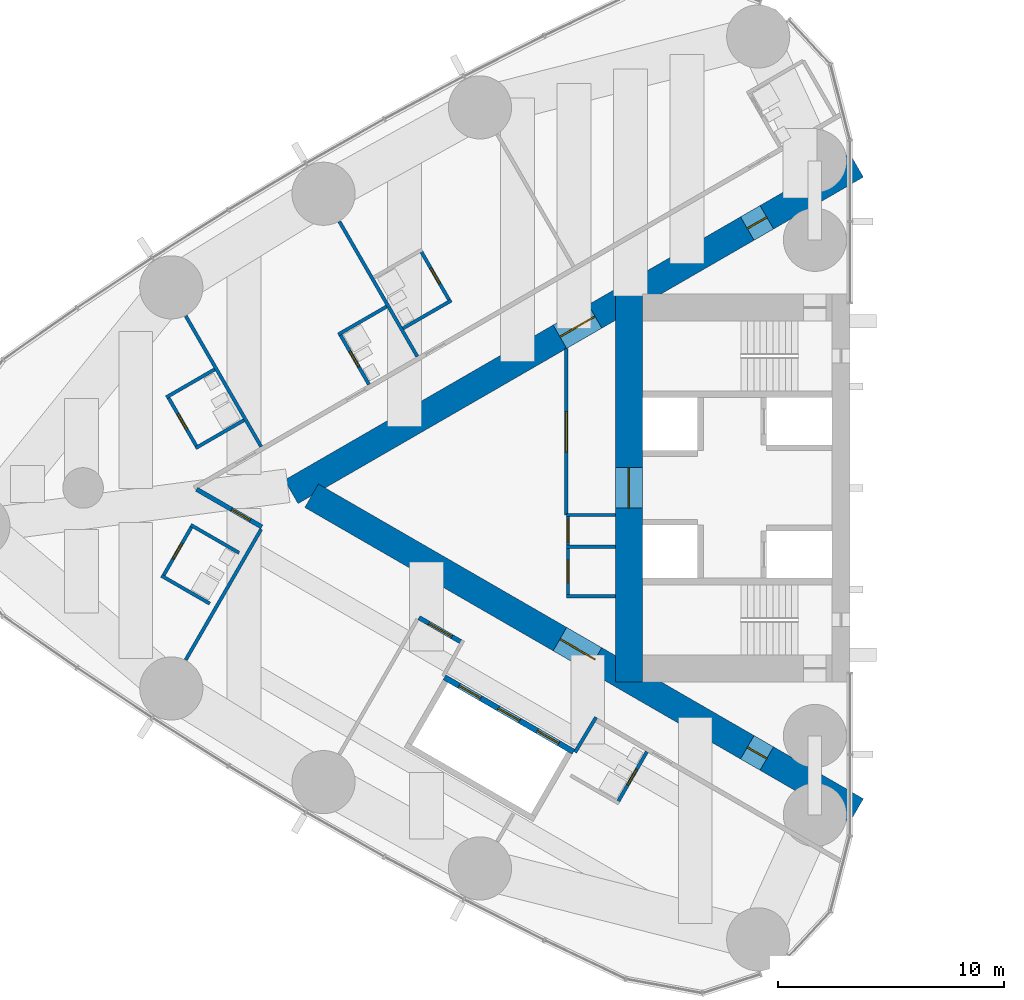
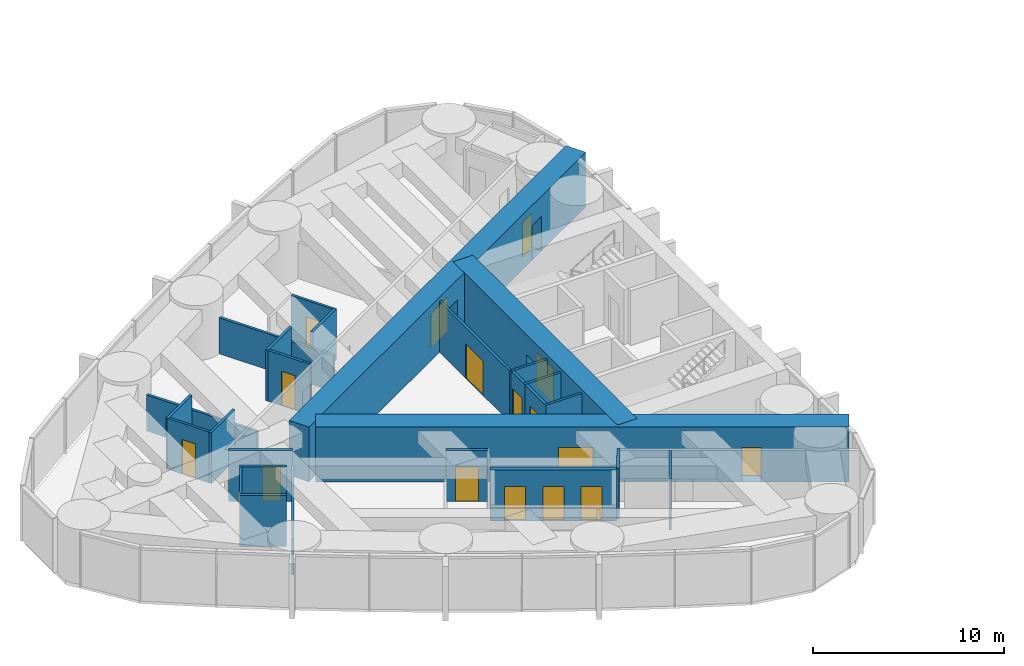
# One storey, part 12 of 19: 27 walls, 18 doors, 18 openings.
"""IFC4 building model written with IfcOpenShell, lengths in metres."""

from ifc_helpers import new_model, si_unit, direction, frame, frame_2d, origin, place, context, subcontext, project, spatial, rectangle, extrude, material, layer, layer_set, type_object, element, fill, save


model = new_model("IFC4")

# Units and contexts
model_context = context("Model", 3, precision=1e-05, world=origin(), true_north=direction((0.0, 1.0)))
body_context = subcontext(model_context, "Body", "Model", "MODEL_VIEW")
ifc_project = project(units=[si_unit("LENGTHUNIT", "METRE"), si_unit("AREAUNIT", "SQUARE_METRE"), si_unit("VOLUMEUNIT", "CUBIC_METRE"), si_unit("PLANEANGLEUNIT", "RADIAN"), si_unit("MASSUNIT", "GRAM", prefix="KILO")], contexts=[model_context])

# Site, building, storey
site_placement = place(None, origin())
site = spatial("IfcSite", under=ifc_project, at=site_placement, CompositionType="ELEMENT")
building_placement = place(site_placement, origin())
building = spatial("IfcBuilding", under=site, at=building_placement, Name="Lancet Gate Hotel", CompositionType="ELEMENT")
storey_placement = place(building_placement, frame((0.0, 0.0, 177.300048828125)))
storey = spatial("IfcBuildingStorey", under=building, at=storey_placement, Name="L47", CompositionType="ELEMENT", Elevation=177.300048828125)

# Wall, opening, door
ifc_material_1 = material(Name="Moisture resistant board partition")
ifc_layer_1 = layer(ifc_material_1, 0.14990234375)
ifc_layer_set_1 = layer_set([ifc_layer_1], Name="Bathroom wall 150")
wall_type_1 = type_object("IfcWallType", Name="Bathroom wall 150", PredefinedType="PARTITIONING", material=ifc_layer_set_1)
wall_1_placement = place(storey_placement, frame((-45.2353515625, 8.275146484375, 0.0), z_axis=(0.0, 0.0, 1.0), x_axis=(-0.500006934395, 0.866021400173, 0.0)))
wall_1 = element("IfcWall", 1, at=wall_1_placement, inside=storey, type_object=wall_type_1, Name="T1 bathroom wall 150 L47", PredefinedType="PARTITIONING", context=body_context, shape_type="SweptSolid", body=[
    extrude(rectangle(XDim=2.60009765625, YDim=0.14990234375, at=frame_2d((1.300048828125, 0.0))), origin(), (0.0, 0.0, 1.0), 3.25),
])
opening_1_placement = place(wall_1_placement, frame((0.89990234375, 0.0, 0.0)))
opening_1 = element("IfcOpeningElement", 2, at=opening_1_placement, cuts=wall_1, Name="Opening 4702-B", PredefinedType="OPENING", context=body_context, shape_type="SweptSolid", body=[
    extrude(rectangle(XDim=0.800048828125, YDim=2.199951171875, at=frame_2d((0.39990234375, 1.10009765625))), frame((0.0, 0.0849609375, 0.0), z_axis=(0.0, -1.0, 0.0), x_axis=(1.0, 0.0, 0.0)), (0.0, 0.0, 1.0), 0.169921875),
])
ifc_material_2 = material(Name="Timber door set", Category="wood")
door_type_1 = type_object("IfcDoorType", Name="Bathroom door 800", OperationType="SINGLE_SWING_RIGHT", PredefinedType="DOOR", material=ifc_material_2)
door_1_placement = place(opening_1_placement, origin())
door_1 = element("IfcDoor", 3, at=door_1_placement, inside=storey, type_object=door_type_1, Name="4702-B", OperationType="SINGLE_SWING_RIGHT", OverallHeight=2.199951171875, OverallWidth=0.800048828125, PredefinedType="DOOR", context=body_context, shape_type="SweptSolid", body=[
    extrude(rectangle(XDim=0.800048828125, YDim=2.199951171875, at=frame_2d((0.39990234375, 1.10009765625))), frame((0.0, 0.02490234375, 0.0), z_axis=(0.0, -1.0, 0.0), x_axis=(1.0, 0.0, 0.0)), (0.0, 0.0, 1.0), 0.050048828125),
])
fill(opening_1, door_1)

# Walls
for number, where, z_axis, x_axis, name in (
    (4, (-45.17041015625, 8.3125, 0.0), (0.0, 0.0, 1.0), (-0.866031185235, -0.4999899861, 0.0), "T1 bathroom wall 150 L47"),
    (5, (-48.043701171875, 8.039306640625, 0.0), (0.0, 0.0, 1.0), (-0.866031185235, -0.4999899861, 0.0), "T1 bathroom wall 150 L47"),
):
    element("IfcWall", number, at=place(storey_placement, frame(where, z_axis=z_axis, x_axis=x_axis)), inside=storey, type_object=wall_type_1, Name=name, PredefinedType="PARTITIONING", context=body_context, shape_type="SweptSolid", body=[
        extrude(rectangle(XDim=2.47509765625, YDim=0.14990234375, at=frame_2d((1.237548828125, 0.0))), origin(), (0.0, 0.0, 1.0), 3.25),
    ])

# Wall, opening, door
wall_2_placement = place(storey_placement, frame((-48.822265625, 4.587646484375, 0.0), z_axis=(0.0, 0.0, 1.0), x_axis=(-0.500006934395, 0.866021400173, 0.0)))
wall_2 = element("IfcWall", 6, at=wall_2_placement, inside=storey, type_object=wall_type_1, Name="T1 bathroom wall 150 L47", PredefinedType="PARTITIONING", context=body_context, shape_type="SweptSolid", body=[
    extrude(rectangle(XDim=2.60009765625, YDim=0.14990234375, at=frame_2d((1.300048828125, 0.0))), origin(), (0.0, 0.0, 1.0), 3.25),
])
opening_2_placement = place(wall_2_placement, frame((0.89990234375, 0.0, 0.0)))
opening_2 = element("IfcOpeningElement", 7, at=opening_2_placement, cuts=wall_2, Name="Opening 4703-B", PredefinedType="OPENING", context=body_context, shape_type="SweptSolid", body=[
    extrude(rectangle(XDim=0.800048828125, YDim=2.199951171875, at=frame_2d((0.39990234375, 1.10009765625))), frame((0.0, 0.0849609375, 0.0), z_axis=(0.0, -1.0, 0.0), x_axis=(1.0, 0.0, 0.0)), (0.0, 0.0, 1.0), 0.169921875),
])
door_2_placement = place(opening_2_placement, origin())
door_2 = element("IfcDoor", 8, at=door_2_placement, inside=storey, type_object=door_type_1, Name="4703-B", OperationType="SINGLE_SWING_RIGHT", OverallHeight=2.199951171875, OverallWidth=0.800048828125, PredefinedType="DOOR", context=body_context, shape_type="SweptSolid", body=[
    extrude(rectangle(XDim=0.800048828125, YDim=2.199951171875, at=frame_2d((0.39990234375, 1.10009765625))), frame((0.0, 0.02490234375, 0.0), z_axis=(0.0, -1.0, 0.0), x_axis=(1.0, 0.0, 0.0)), (0.0, 0.0, 1.0), 0.050048828125),
])
fill(opening_2, door_2)

# Wall
wall_3_placement = place(storey_placement, frame((-55.6669921875, 5.254638671875, 0.0), z_axis=(0.0, 0.0, 1.0), x_axis=(-0.866006523861, -0.500032699561, 0.0)))
element("IfcWall", 9, at=wall_3_placement, inside=storey, type_object=wall_type_1, Name="T1 bathroom wall 150 L47", PredefinedType="PARTITIONING", context=body_context, shape_type="SweptSolid", body=[
    extrude(rectangle(XDim=2.474853515625, YDim=0.14990234375, at=frame_2d((1.2373046875, 0.0))), origin(), (0.0, 0.0, 1.0), 3.25),
])

# Wall, opening, door
wall_4_placement = place(storey_placement, frame((-56.445556640625, 1.802978515625, 0.0), z_axis=(0.0, 0.0, 1.0), x_axis=(-0.499936506574, 0.866062058628, 0.0)))
wall_4 = element("IfcWall", 10, at=wall_4_placement, inside=storey, type_object=wall_type_1, Name="T1 bathroom wall 150 L47", PredefinedType="PARTITIONING", context=body_context, shape_type="SweptSolid", body=[
    extrude(rectangle(XDim=2.599853515625, YDim=0.14990234375, at=frame_2d((1.2998046875, 0.0))), origin(), (0.0, 0.0, 1.0), 3.25),
])
opening_3_placement = place(wall_4_placement, frame((0.89990234375, 0.0, 0.0)))
opening_3 = element("IfcOpeningElement", 11, at=opening_3_placement, cuts=wall_4, Name="Opening 4704-B", PredefinedType="OPENING", context=body_context, shape_type="SweptSolid", body=[
    extrude(rectangle(XDim=0.800048828125, YDim=2.199951171875, at=frame_2d((0.39990234375, 1.10009765625))), frame((0.0, 0.0849609375, 0.0), z_axis=(0.0, -1.0, 0.0), x_axis=(1.0, 0.0, 0.0)), (0.0, 0.0, 1.0), 0.169921875),
])
door_3_placement = place(opening_3_placement, origin())
door_3 = element("IfcDoor", 12, at=door_3_placement, inside=storey, type_object=door_type_1, Name="4704-B", OperationType="SINGLE_SWING_RIGHT", OverallHeight=2.199951171875, OverallWidth=0.800048828125, PredefinedType="DOOR", context=body_context, shape_type="SweptSolid", body=[
    extrude(rectangle(XDim=0.800048828125, YDim=2.199951171875, at=frame_2d((0.39990234375, 1.10009765625))), frame((0.0, 0.02490234375, 0.0), z_axis=(0.0, -1.0, 0.0), x_axis=(1.0, 0.0, 0.0)), (0.0, 0.0, 1.0), 0.050048828125),
])
fill(opening_3, door_3)

# Walls
wall_5_placement = place(storey_placement, frame((-54.366943359375, 3.0029296875, 0.0), z_axis=(0.0, 0.0, 1.0), x_axis=(-0.866031185235, -0.4999899861, 0.0)))
element("IfcWall", 13, at=wall_5_placement, inside=storey, type_object=wall_type_1, Name="T1 bathroom wall 150 L47", PredefinedType="PARTITIONING", context=body_context, shape_type="SweptSolid", body=[
    extrude(rectangle(XDim=2.47509765625, YDim=0.14990234375, at=frame_2d((1.237548828125, 0.0))), origin(), (0.0, 0.0, 1.0), 3.25),
])
wall_6_placement = place(storey_placement, frame((-55.883544921875, -5.129638671875, 0.0), z_axis=(0.0, 0.0, 1.0), x_axis=(-0.866006523861, 0.500032699561, 0.0)))
element("IfcWall", 14, at=wall_6_placement, inside=storey, type_object=wall_type_1, Name="T1 bathroom wall 150 L47", PredefinedType="PARTITIONING", context=body_context, shape_type="SweptSolid", body=[
    extrude(rectangle(XDim=2.474853515625, YDim=0.14990234375, at=frame_2d((1.2373046875, 0.0))), origin(), (0.0, 0.0, 1.0), 3.25),
])

# Wall, opening, door
wall_7_placement = place(storey_placement, frame((-56.661865234375, -1.677978515625, 0.0), z_axis=(0.0, 0.0, 1.0), x_axis=(-0.500006934395, -0.866021400173, 0.0)))
wall_7 = element("IfcWall", 15, at=wall_7_placement, inside=storey, type_object=wall_type_1, Name="T1 bathroom wall 150 L47", PredefinedType="PARTITIONING", context=body_context, shape_type="SweptSolid", body=[
    extrude(rectangle(XDim=2.60009765625, YDim=0.14990234375, at=frame_2d((1.300048828125, 0.0))), origin(), (0.0, 0.0, 1.0), 3.25),
])
opening_4_placement = place(wall_7_placement, frame((0.89990234375, 0.0, 0.0)))
opening_4 = element("IfcOpeningElement", 16, at=opening_4_placement, cuts=wall_7, Name="Opening 4705-B", PredefinedType="OPENING", context=body_context, shape_type="SweptSolid", body=[
    extrude(rectangle(XDim=0.800048828125, YDim=2.199951171875, at=frame_2d((0.39990234375, 1.10009765625))), frame((0.0, 0.0849609375, 0.0), z_axis=(0.0, -1.0, 0.0), x_axis=(1.0, 0.0, 0.0)), (0.0, 0.0, 1.0), 0.169921875),
])
door_4_placement = place(opening_4_placement, origin())
door_4 = element("IfcDoor", 17, at=door_4_placement, inside=storey, type_object=door_type_1, Name="4705-B", OperationType="SINGLE_SWING_RIGHT", OverallHeight=2.199951171875, OverallWidth=0.800048828125, PredefinedType="DOOR", context=body_context, shape_type="SweptSolid", body=[
    extrude(rectangle(XDim=0.800048828125, YDim=2.199951171875, at=frame_2d((0.39990234375, 1.10009765625))), frame((0.0, 0.02490234375, 0.0), z_axis=(0.0, -1.0, 0.0), x_axis=(1.0, 0.0, 0.0)), (0.0, 0.0, 1.0), 0.050048828125),
])
fill(opening_4, door_4)

# Wall
wall_8_placement = place(storey_placement, frame((-54.58349609375, -2.8779296875, 0.0), z_axis=(0.0, 0.0, 1.0), x_axis=(-0.866006523861, 0.500032699561, 0.0)))
element("IfcWall", 18, at=wall_8_placement, inside=storey, type_object=wall_type_1, Name="T1 bathroom wall 150 L47", PredefinedType="PARTITIONING", context=body_context, shape_type="SweptSolid", body=[
    extrude(rectangle(XDim=2.474853515625, YDim=0.14990234375, at=frame_2d((1.2373046875, 0.0))), origin(), (0.0, 0.0, 1.0), 3.25),
])

# Wall, opening, door
wall_9_placement = place(storey_placement, frame((-36.5029296875, -11.7001953125, 0.0), z_axis=(0.0, 0.0, 1.0), x_axis=(-0.500006934395, -0.866021400173, 0.0)))
wall_9 = element("IfcWall", 19, at=wall_9_placement, inside=storey, type_object=wall_type_1, Name="T1 bathroom wall 150 L47", PredefinedType="PARTITIONING", context=body_context, shape_type="SweptSolid", body=[
    extrude(rectangle(XDim=2.60009765625, YDim=0.14990234375, at=frame_2d((1.300048828125, 0.0))), origin(), (0.0, 0.0, 1.0), 3.25),
])
opening_5_placement = place(wall_9_placement, frame((0.89990234375, 0.0, 0.0)))
opening_5 = element("IfcOpeningElement", 20, at=opening_5_placement, cuts=wall_9, Name="Opening 4708-B", PredefinedType="OPENING", context=body_context, shape_type="SweptSolid", body=[
    extrude(rectangle(XDim=0.800048828125, YDim=2.199951171875, at=frame_2d((0.39990234375, 1.10009765625))), frame((0.0, 0.0849609375, 0.0), z_axis=(0.0, -1.0, 0.0), x_axis=(1.0, 0.0, 0.0)), (0.0, 0.0, 1.0), 0.169921875),
])
door_5_placement = place(opening_5_placement, origin())
door_5 = element("IfcDoor", 21, at=door_5_placement, inside=storey, type_object=door_type_1, Name="4708-B", OperationType="SINGLE_SWING_RIGHT", OverallHeight=2.199951171875, OverallWidth=0.800048828125, PredefinedType="DOOR", context=body_context, shape_type="SweptSolid", body=[
    extrude(rectangle(XDim=0.800048828125, YDim=2.199951171875, at=frame_2d((0.39990234375, 1.10009765625))), frame((0.0, 0.02490234375, 0.0), z_axis=(0.0, -1.0, 0.0), x_axis=(1.0, 0.0, 0.0)), (0.0, 0.0, 1.0), 0.050048828125),
])
fill(opening_5, door_5)

# Wall, openings, doors
ifc_material_3 = material(Name="Concrete C70/85", Category="concrete")
ifc_layer_2 = layer(ifc_material_3, 1.199951171875)
ifc_layer_set_2 = layer_set([ifc_layer_2], Name="Buttress wall 1200")
wall_type_2 = type_object("IfcWallType", Name="Buttress wall 1200", PredefinedType="SHEAR", material=ifc_layer_set_2)
wall_10_placement = place(storey_placement, frame((-27.199951171875, 14.300048828125, 0.0), z_axis=(0.0, 0.0, 1.0), x_axis=(-0.866026593062, -0.499997940104, 0.0)))
wall_10 = element("IfcWall", 22, at=wall_10_placement, inside=storey, type_object=wall_type_2, Name="T1 buttress wall S L47", PredefinedType="SHEAR", context=body_context, shape_type="SweptSolid", body=[
    extrude(rectangle(XDim=28.9462890625, YDim=1.199951171875, at=frame_2d((14.47314453125, 0.0))), origin(), (0.0, 0.0, 1.0), 3.5),
])
opening_6_placement = place(wall_10_placement, frame((4.60009765625, 0.0, 0.0)))
opening_6 = element("IfcOpeningElement", 23, at=opening_6_placement, cuts=wall_10, Name="Opening T1-L47-LS", PredefinedType="OPENING", context=body_context, shape_type="SweptSolid", body=[
    extrude(rectangle(XDim=1.0, YDim=2.199951171875, at=frame_2d((0.5, 1.10009765625))), frame((0.0, 0.60986328125, 0.0), z_axis=(0.0, -1.0, 0.0), x_axis=(1.0, 0.0, 0.0)), (0.0, 0.0, 1.0), 1.219970703125),
])
opening_7_placement = place(wall_10_placement, frame((13.39453125, 0.0, 0.0)))
opening_7 = element("IfcOpeningElement", 24, at=opening_7_placement, cuts=wall_10, Name="Opening T1-L47-LHS", PredefinedType="OPENING", context=body_context, shape_type="SweptSolid", body=[
    extrude(rectangle(XDim=1.800048828125, YDim=2.199951171875, at=frame_2d((0.89990234375, 1.10009765625))), frame((0.0, 0.60986328125, 0.0), z_axis=(0.0, -1.0, 0.0), x_axis=(1.0, 0.0, 0.0)), (0.0, 0.0, 1.0), 1.219970703125),
])
ifc_material_4 = material(Name="Timber door set", Category="wood")
door_type_2 = type_object("IfcDoorType", Name="Lobby double door 1800", OperationType="DOUBLE_DOOR_SINGLE_SWING", PredefinedType="DOOR", material=ifc_material_4)
door_6_placement = place(opening_7_placement, origin())
door_6 = element("IfcDoor", 25, at=door_6_placement, inside=storey, type_object=door_type_2, Name="T1-L47-LHS", OperationType="DOUBLE_DOOR_SINGLE_SWING", OverallHeight=2.199951171875, OverallWidth=1.800048828125, PredefinedType="DOOR", context=body_context, shape_type="SweptSolid", body=[
    extrude(rectangle(XDim=1.800048828125, YDim=2.199951171875, at=frame_2d((0.89990234375, 1.10009765625))), frame((0.0, 0.02490234375, 0.0), z_axis=(0.0, -1.0, 0.0), x_axis=(1.0, 0.0, 0.0)), (0.0, 0.0, 1.0), 0.050048828125),
])
fill(opening_7, door_6)
ifc_material_5 = material(Name="Timber door set", Category="wood")
door_type_3 = type_object("IfcDoorType", Name="Stair lobby door 1000", OperationType="SINGLE_SWING_LEFT", PredefinedType="DOOR", material=ifc_material_5)
door_7_placement = place(opening_6_placement, origin())
door_7 = element("IfcDoor", 26, at=door_7_placement, inside=storey, type_object=door_type_3, Name="T1-L47-LS", OperationType="SINGLE_SWING_LEFT", OverallHeight=2.199951171875, OverallWidth=1.0, PredefinedType="DOOR", context=body_context, shape_type="SweptSolid", body=[
    extrude(rectangle(XDim=1.0, YDim=2.199951171875, at=frame_2d((0.5, 1.10009765625))), frame((0.0, 0.02490234375, 0.0), z_axis=(0.0, -1.0, 0.0), x_axis=(1.0, 0.0, 0.0)), (0.0, 0.0, 1.0), 0.050048828125),
])
fill(opening_6, door_7)

wall_11_placement = place(storey_placement, frame((-27.199951171875, -14.300048828125, 0.0), z_axis=(0.0, 0.0, 1.0), x_axis=(-0.866024021859, 0.500002393557, 0.0)))
wall_11 = element("IfcWall", 27, at=wall_11_placement, inside=storey, type_object=wall_type_2, Name="T1 buttress wall N L47", PredefinedType="SHEAR", context=body_context, shape_type="SweptSolid", body=[
    extrude(rectangle(XDim=27.906982421875, YDim=1.199951171875, at=frame_2d((13.95361328125, 0.0))), origin(), (0.0, 0.0, 1.0), 3.5),
])
opening_8_placement = place(wall_11_placement, frame((4.60009765625, 0.0, 0.0)))
opening_8 = element("IfcOpeningElement", 28, at=opening_8_placement, cuts=wall_11, Name="Opening T1-L47-LN", PredefinedType="OPENING", context=body_context, shape_type="SweptSolid", body=[
    extrude(rectangle(XDim=1.0, YDim=2.199951171875, at=frame_2d((0.5, 1.10009765625))), frame((0.0, 0.60986328125, 0.0), z_axis=(0.0, -1.0, 0.0), x_axis=(1.0, 0.0, 0.0)), (0.0, 0.0, 1.0), 1.219970703125),
])
opening_9_placement = place(wall_11_placement, frame((13.39453125, 0.0, 0.0)))
opening_9 = element("IfcOpeningElement", 29, at=opening_9_placement, cuts=wall_11, Name="Opening T1-L47-LHN", PredefinedType="OPENING", context=body_context, shape_type="SweptSolid", body=[
    extrude(rectangle(XDim=1.800048828125, YDim=2.199951171875, at=frame_2d((0.89990234375, 1.10009765625))), frame((0.0, 0.60986328125, 0.0), z_axis=(0.0, -1.0, 0.0), x_axis=(1.0, 0.0, 0.0)), (0.0, 0.0, 1.0), 1.219970703125),
])
door_8_placement = place(opening_9_placement, origin())
door_8 = element("IfcDoor", 30, at=door_8_placement, inside=storey, type_object=door_type_2, Name="T1-L47-LHN", OperationType="DOUBLE_DOOR_SINGLE_SWING", OverallHeight=2.199951171875, OverallWidth=1.800048828125, PredefinedType="DOOR", context=body_context, shape_type="SweptSolid", body=[
    extrude(rectangle(XDim=1.800048828125, YDim=2.199951171875, at=frame_2d((0.89990234375, 1.10009765625))), frame((0.0, 0.02490234375, 0.0), z_axis=(0.0, -1.0, 0.0), x_axis=(1.0, 0.0, 0.0)), (0.0, 0.0, 1.0), 0.050048828125),
])
fill(opening_9, door_8)
door_9_placement = place(opening_8_placement, origin())
door_9 = element("IfcDoor", 31, at=door_9_placement, inside=storey, type_object=door_type_3, Name="T1-L47-LN", OperationType="SINGLE_SWING_LEFT", OverallHeight=2.199951171875, OverallWidth=1.0, PredefinedType="DOOR", context=body_context, shape_type="SweptSolid", body=[
    extrude(rectangle(XDim=1.0, YDim=2.199951171875, at=frame_2d((0.5, 1.10009765625))), frame((0.0, 0.02490234375, 0.0), z_axis=(0.0, -1.0, 0.0), x_axis=(1.0, 0.0, 0.0)), (0.0, 0.0, 1.0), 0.050048828125),
])
fill(opening_8, door_9)

# Wall, opening, door
ifc_material_6 = material(Name="Concrete C70/85", Category="concrete")
ifc_layer_3 = layer(ifc_material_6, 1.199951171875)
ifc_layer_set_3 = layer_set([ifc_layer_3], Name="Core wall 1200")
wall_type_3 = type_object("IfcWallType", Name="Core wall 1200", PredefinedType="SHEAR", material=ifc_layer_set_3)
wall_12_placement = place(storey_placement, frame((-37.300048828125, 8.60009765625, 0.0), z_axis=(0.0, 0.0, 1.0), x_axis=(0.0, -1.0, 0.0)))
wall_12 = element("IfcWall", 32, at=wall_12_placement, inside=storey, type_object=wall_type_3, Name="T1 core wall back L47", PredefinedType="SHEAR", context=body_context, shape_type="SweptSolid", body=[
    extrude(rectangle(XDim=17.2001953125, YDim=1.199951171875, at=frame_2d((8.60009765625, 0.0))), origin(), (0.0, 0.0, 1.0), 3.5),
])
opening_10_placement = place(wall_12_placement, frame((7.699951171875, 0.0, 0.0)))
opening_10 = element("IfcOpeningElement", 33, at=opening_10_placement, cuts=wall_12, Name="Opening T1-L47-LL", PredefinedType="OPENING", context=body_context, shape_type="SweptSolid", body=[
    extrude(rectangle(XDim=1.800048828125, YDim=2.199951171875, at=frame_2d((0.89990234375, 1.10009765625))), frame((0.0, 0.60986328125, 0.0), z_axis=(0.0, -1.0, 0.0), x_axis=(1.0, 0.0, 0.0)), (0.0, 0.0, 1.0), 1.219970703125),
])
door_10_placement = place(opening_10_placement, origin())
door_10 = element("IfcDoor", 34, at=door_10_placement, inside=storey, type_object=door_type_2, Name="T1-L47-LL", OperationType="DOUBLE_DOOR_SINGLE_SWING", OverallHeight=2.199951171875, OverallWidth=1.800048828125, PredefinedType="DOOR", context=body_context, shape_type="SweptSolid", body=[
    extrude(rectangle(XDim=1.800048828125, YDim=2.199951171875, at=frame_2d((0.89990234375, 1.10009765625))), frame((0.0, 0.02490234375, 0.0), z_axis=(0.0, -1.0, 0.0), x_axis=(1.0, 0.0, 0.0)), (0.0, 0.0, 1.0), 0.050048828125),
])
fill(opening_10, door_10)

ifc_material_7 = material(Name="Gypsum board partition")
ifc_layer_4 = layer(ifc_material_7, 0.199951171875)
ifc_layer_set_4 = layer_set([ifc_layer_4], Name="Corridor wall 200")
wall_type_4 = type_object("IfcWallType", Name="Corridor wall 200", PredefinedType="PARTITIONING", material=ifc_layer_set_4)
wall_13_placement = place(storey_placement, frame((-44.715087890625, -6.843505859375, 0.0), z_axis=(0.0, 0.0, 1.0), x_axis=(-0.865999496279, 0.500044870432, 0.0)))
wall_13 = element("IfcWall", 35, at=wall_13_placement, inside=storey, type_object=wall_type_4, Name="T1 corridor wall 200 L47", PredefinedType="PARTITIONING", context=body_context, shape_type="SweptSolid", body=[
    extrude(rectangle(XDim=2.184814453125, YDim=0.199951171875, at=frame_2d((1.09228515625, 0.0))), origin(), (0.0, 0.0, 1.0), 3.25),
])
opening_11_placement = place(wall_13_placement, frame((0.5, 0.0, 0.0)))
opening_11 = element("IfcOpeningElement", 36, at=opening_11_placement, cuts=wall_13, Name="Opening T1-L47-LO1", PredefinedType="OPENING", context=body_context, shape_type="SweptSolid", body=[
    extrude(rectangle(XDim=1.18505859375, YDim=2.199951171875, at=frame_2d((0.592529296875, 1.10009765625))), frame((0.0, 0.10986328125, 0.0), z_axis=(0.0, -1.0, 0.0), x_axis=(1.0, 0.0, 0.0)), (0.0, 0.0, 1.0), 0.219970703125),
])
ifc_material_8 = material(Name="Timber door set", Category="wood")
door_type_4 = type_object("IfcDoorType", Name="Guest room entry door 950", OperationType="SINGLE_SWING_LEFT", PredefinedType="DOOR", material=ifc_material_8)
door_11_placement = place(opening_11_placement, origin())
door_11 = element("IfcDoor", 37, at=door_11_placement, inside=storey, type_object=door_type_4, Name="T1-L47-LO1", OperationType="SINGLE_SWING_LEFT", OverallHeight=2.199951171875, OverallWidth=1.18505859375, PredefinedType="DOOR", context=body_context, shape_type="SweptSolid", body=[
    extrude(rectangle(XDim=1.18505859375, YDim=2.199951171875, at=frame_2d((0.592529296875, 1.10009765625))), frame((0.0, 0.02490234375, 0.0), z_axis=(0.0, -1.0, 0.0), x_axis=(1.0, 0.0, 0.0)), (0.0, 0.0, 1.0), 0.050048828125),
])
fill(opening_11, door_11)

wall_14_placement = place(storey_placement, frame((-53.57373046875, -1.72900390625, 0.0), z_axis=(0.0, 0.0, 1.0), x_axis=(-0.866019930389, 0.500009480079, 0.0)))
wall_14 = element("IfcWall", 38, at=wall_14_placement, inside=storey, type_object=wall_type_4, Name="T1 corridor wall 200 L47", PredefinedType="PARTITIONING", context=body_context, shape_type="SweptSolid", body=[
    extrude(rectangle(XDim=3.337890625, YDim=0.199951171875, at=frame_2d((1.6689453125, 0.0))), origin(), (0.0, 0.0, 1.0), 3.25),
])
opening_12_placement = place(wall_14_placement, frame((0.60009765625, 0.0, 0.0)))
opening_12 = element("IfcOpeningElement", 39, at=opening_12_placement, cuts=wall_14, Name="Opening 4705-E", PredefinedType="OPENING", context=body_context, shape_type="SweptSolid", body=[
    extrude(rectangle(XDim=0.949951171875, YDim=2.199951171875, at=frame_2d((0.47509765625, 1.10009765625))), frame((0.0, 0.10986328125, 0.0), z_axis=(0.0, -1.0, 0.0), x_axis=(1.0, 0.0, 0.0)), (0.0, 0.0, 1.0), 0.219970703125),
])
door_12_placement = place(opening_12_placement, origin())
door_12 = element("IfcDoor", 40, at=door_12_placement, inside=storey, type_object=door_type_4, Name="4705-E", OperationType="SINGLE_SWING_LEFT", OverallHeight=2.199951171875, OverallWidth=0.949951171875, PredefinedType="DOOR", context=body_context, shape_type="SweptSolid", body=[
    extrude(rectangle(XDim=0.949951171875, YDim=2.199951171875, at=frame_2d((0.47509765625, 1.10009765625))), frame((0.0, 0.02490234375, 0.0), z_axis=(0.0, -1.0, 0.0), x_axis=(1.0, 0.0, 0.0)), (0.0, 0.0, 1.0), 0.050048828125),
])
fill(opening_12, door_12)

# Wall, openings, doors
ifc_material_9 = material(Name="Gypsum board partition")
ifc_layer_5 = layer(ifc_material_9, 0.25)
ifc_layer_set_5 = layer_set([ifc_layer_5], Name="Lift shaft partition 250")
wall_type_5 = type_object("IfcWallType", Name="Lift shaft partition 250", PredefinedType="PARTITIONING", material=ifc_layer_set_5)
wall_15_placement = place(storey_placement, frame((-39.757568359375, -11.697265625, 0.0), z_axis=(0.0, 0.0, 1.0), x_axis=(-0.866024194504, 0.500002094529, 0.0)))
wall_15 = element("IfcWall", 41, at=wall_15_placement, inside=storey, type_object=wall_type_5, Name="T1 lift shaft wall HL L47", PredefinedType="PARTITIONING", context=body_context, shape_type="SweptSolid", body=[
    extrude(rectangle(XDim=6.60009765625, YDim=0.25, at=frame_2d((3.300048828125, 0.0))), origin(), (0.0, 0.0, 1.0), 3.25),
])
opening_13_placement = place(wall_15_placement, frame((0.75, 0.0, 0.0)))
opening_13 = element("IfcOpeningElement", 42, at=opening_13_placement, cuts=wall_15, Name="Opening T1-HL1-L47", PredefinedType="OPENING", context=body_context, shape_type="SweptSolid", body=[
    extrude(rectangle(XDim=1.10009765625, YDim=2.199951171875, at=frame_2d((0.550048828125, 1.10009765625))), frame((0.0, 0.135009765625, 0.0), z_axis=(0.0, -1.0, 0.0), x_axis=(1.0, 0.0, 0.0)), (0.0, 0.0, 1.0), 0.27001953125),
])
opening_14_placement = place(wall_15_placement, frame((2.75, 0.0, 0.0)))
opening_14 = element("IfcOpeningElement", 43, at=opening_14_placement, cuts=wall_15, Name="Opening T1-HL2-L47", PredefinedType="OPENING", context=body_context, shape_type="SweptSolid", body=[
    extrude(rectangle(XDim=1.10009765625, YDim=2.199951171875, at=frame_2d((0.550048828125, 1.10009765625))), frame((0.0, 0.135009765625, 0.0), z_axis=(0.0, -1.0, 0.0), x_axis=(1.0, 0.0, 0.0)), (0.0, 0.0, 1.0), 0.27001953125),
])
opening_15_placement = place(wall_15_placement, frame((4.75, 0.0, 0.0)))
opening_15 = element("IfcOpeningElement", 44, at=opening_15_placement, cuts=wall_15, Name="Opening T1-HL3-L47", PredefinedType="OPENING", context=body_context, shape_type="SweptSolid", body=[
    extrude(rectangle(XDim=1.10009765625, YDim=2.199951171875, at=frame_2d((0.550048828125, 1.10009765625))), frame((0.0, 0.135009765625, 0.0), z_axis=(0.0, -1.0, 0.0), x_axis=(1.0, 0.0, 0.0)), (0.0, 0.0, 1.0), 0.27001953125),
])
ifc_material_10 = material(Name="Steel door set", Category="steel")
door_type_5 = type_object("IfcDoorType", Name="Lift landing door 1100", OperationType="DOUBLE_DOOR_SLIDING", PredefinedType="USERDEFINED", material=ifc_material_10)
door_13_placement = place(opening_13_placement, origin())
door_13 = element("IfcDoor", 45, at=door_13_placement, inside=storey, type_object=door_type_5, Name="T1-HL1-L47", ObjectType="LIFT LANDING DOOR", OperationType="DOUBLE_DOOR_SLIDING", OverallHeight=2.199951171875, OverallWidth=1.10009765625, PredefinedType="USERDEFINED", context=body_context, shape_type="SweptSolid", body=[
    extrude(rectangle(XDim=1.10009765625, YDim=2.199951171875, at=frame_2d((0.550048828125, 1.10009765625))), frame((0.0, 0.02490234375, 0.0), z_axis=(0.0, -1.0, 0.0), x_axis=(1.0, 0.0, 0.0)), (0.0, 0.0, 1.0), 0.050048828125),
])
fill(opening_13, door_13)
door_14_placement = place(opening_14_placement, origin())
door_14 = element("IfcDoor", 46, at=door_14_placement, inside=storey, type_object=door_type_5, Name="T1-HL2-L47", ObjectType="LIFT LANDING DOOR", OperationType="DOUBLE_DOOR_SLIDING", OverallHeight=2.199951171875, OverallWidth=1.10009765625, PredefinedType="USERDEFINED", context=body_context, shape_type="SweptSolid", body=[
    extrude(rectangle(XDim=1.10009765625, YDim=2.199951171875, at=frame_2d((0.550048828125, 1.10009765625))), frame((0.0, 0.02490234375, 0.0), z_axis=(0.0, -1.0, 0.0), x_axis=(1.0, 0.0, 0.0)), (0.0, 0.0, 1.0), 0.050048828125),
])
fill(opening_14, door_14)
door_15_placement = place(opening_15_placement, origin())
door_15 = element("IfcDoor", 47, at=door_15_placement, inside=storey, type_object=door_type_5, Name="T1-HL3-L47", ObjectType="LIFT LANDING DOOR", OperationType="DOUBLE_DOOR_SLIDING", OverallHeight=2.199951171875, OverallWidth=1.10009765625, PredefinedType="USERDEFINED", context=body_context, shape_type="SweptSolid", body=[
    extrude(rectangle(XDim=1.10009765625, YDim=2.199951171875, at=frame_2d((0.550048828125, 1.10009765625))), frame((0.0, 0.02490234375, 0.0), z_axis=(0.0, -1.0, 0.0), x_axis=(1.0, 0.0, 0.0)), (0.0, 0.0, 1.0), 0.050048828125),
])
fill(opening_15, door_15)

# Walls
ifc_material_11 = material(Name="Gypsum board partition")
ifc_layer_6 = layer(ifc_material_11, 0.14990234375)
ifc_layer_set_6 = layer_set([ifc_layer_6], Name="Party wall 150")
wall_type_6 = type_object("IfcWallType", Name="Party wall 150", PredefinedType="PARTITIONING", material=ifc_layer_set_6)
wall_16_placement = place(storey_placement, frame((-46.6787109375, 5.8251953125, 0.0), z_axis=(0.0, 0.0, 1.0), x_axis=(-0.500006839597, 0.866021454905, 0.0)))
element("IfcWall", 48, at=wall_16_placement, inside=storey, type_object=wall_type_6, Name="T1 party wall 150 L47", PredefinedType="PARTITIONING", context=body_context, shape_type="SweptSolid", body=[
    extrude(rectangle(XDim=6.9111328125, YDim=0.14990234375, at=frame_2d((3.45556640625, 0.0))), origin(), (0.0, 0.0, 1.0), 2.300048828125),
])
for number, where, z_axis, x_axis, name in (
    (49, (-53.60205078125, 1.828125, 0.0), (0.0, 0.0, 1.0), (-0.49999191814, 0.866030069798, 0.0), "T1 party wall 150 L47"),
    (50, (-53.60205078125, -1.828125, 0.0), (0.0, 0.0, 1.0), (-0.49999191814, -0.866030069798, 0.0), "T1 party wall 150 L47"),
):
    element("IfcWall", number, at=place(storey_placement, frame(where, z_axis=z_axis, x_axis=x_axis)), inside=storey, type_object=wall_type_6, Name=name, PredefinedType="PARTITIONING", context=body_context, shape_type="SweptSolid", body=[
        extrude(rectangle(XDim=6.6923828125, YDim=0.14990234375, at=frame_2d((3.34619140625, 0.0))), origin(), (0.0, 0.0, 1.0), 2.300048828125),
    ])
ifc_material_12 = material(Name="Gypsum board partition")
ifc_layer_7 = layer(ifc_material_12, 0.14990234375)
ifc_layer_set_7 = layer_set([ifc_layer_7], Name="Service room wall 150")
wall_type_7 = type_object("IfcWallType", Name="Service room wall 150", PredefinedType="PARTITIONING", material=ifc_layer_set_7)
wall_17_placement = place(storey_placement, frame((-39.6826171875, -11.717529296875, 0.0), z_axis=(0.0, 0.0, 1.0), x_axis=(0.514336634837, 0.857588377991, 0.0)))
element("IfcWall", 51, at=wall_17_placement, inside=storey, type_object=wall_type_7, Name="T1 service room wall 150 L47", PredefinedType="PARTITIONING", context=body_context, shape_type="SweptSolid", body=[
    extrude(rectangle(XDim=1.80517578125, YDim=0.14990234375, at=frame_2d((0.902587890625, 0.0))), origin(), (0.0, 0.0, 1.0), 3.25),
])
for number, where, z_axis, x_axis, name in (
    (52, (-37.89990234375, -1.199951171875, 0.0), (0.0, 0.0, 1.0), (-1.0, 0.0, 0.0), "T1 service room wall 150 L47"),
    (53, (-37.89990234375, -2.60009765625, 0.0), (0.0, 0.0, 1.0), (-1.0, 0.0, 0.0), "T1 service room wall 150 L47"),
    (54, (-37.89990234375, -4.800048828125, 0.0), (0.0, 0.0, 1.0), (-1.0, 0.0, 0.0), "T1 service room wall 150 L47"),
):
    element("IfcWall", number, at=place(storey_placement, frame(where, z_axis=z_axis, x_axis=x_axis)), inside=storey, type_object=wall_type_7, Name=name, PredefinedType="PARTITIONING", context=body_context, shape_type="SweptSolid", body=[
        extrude(rectangle(XDim=2.175048828125, YDim=0.14990234375, at=frame_2d((1.08740234375, 0.0))), origin(), (0.0, 0.0, 1.0), 3.25),
    ])

# Wall, opening, door
wall_18_placement = place(storey_placement, frame((-40.0, -1.125, 0.0), z_axis=(0.0, 0.0, 1.0), x_axis=(0.0, -1.0, 0.0)))
wall_18 = element("IfcWall", 55, at=wall_18_placement, inside=storey, type_object=wall_type_7, Name="T1 service room wall 150 L47", PredefinedType="PARTITIONING", context=body_context, shape_type="SweptSolid", body=[
    extrude(rectangle(XDim=1.550048828125, YDim=0.14990234375, at=frame_2d((0.77490234375, 0.0))), origin(), (0.0, 0.0, 1.0), 3.25),
])
opening_16_placement = place(wall_18_placement, frame((0.27490234375, 0.0, 0.0)))
opening_16 = element("IfcOpeningElement", 56, at=opening_16_placement, cuts=wall_18, Name="Opening T1-L47-HRN0", PredefinedType="OPENING", context=body_context, shape_type="SweptSolid", body=[
    extrude(rectangle(XDim=1.0, YDim=2.199951171875, at=frame_2d((0.5, 1.10009765625))), frame((0.0, 0.0849609375, 0.0), z_axis=(0.0, -1.0, 0.0), x_axis=(1.0, 0.0, 0.0)), (0.0, 0.0, 1.0), 0.169921875),
])
ifc_material_13 = material(Name="Timber door set", Category="wood")
door_type_6 = type_object("IfcDoorType", Name="Service door 1000", OperationType="SINGLE_SWING_LEFT", PredefinedType="DOOR", material=ifc_material_13)
door_16_placement = place(opening_16_placement, origin())
door_16 = element("IfcDoor", 57, at=door_16_placement, inside=storey, type_object=door_type_6, Name="T1-L47-HRN0", OperationType="SINGLE_SWING_LEFT", OverallHeight=2.199951171875, OverallWidth=1.0, PredefinedType="DOOR", context=body_context, shape_type="SweptSolid", body=[
    extrude(rectangle(XDim=1.0, YDim=2.199951171875, at=frame_2d((0.5, 1.10009765625))), frame((0.0, 0.02490234375, 0.0), z_axis=(0.0, -1.0, 0.0), x_axis=(1.0, 0.0, 0.0)), (0.0, 0.0, 1.0), 0.050048828125),
])
fill(opening_16, door_16)

wall_19_placement = place(storey_placement, frame((-40.0, -2.52490234375, 0.0), z_axis=(0.0, 0.0, 1.0), x_axis=(0.0, -1.0, 0.0)))
wall_19 = element("IfcWall", 58, at=wall_19_placement, inside=storey, type_object=wall_type_7, Name="T1 service room wall 150 L47", PredefinedType="PARTITIONING", context=body_context, shape_type="SweptSolid", body=[
    extrude(rectangle(XDim=2.35009765625, YDim=0.14990234375, at=frame_2d((1.175048828125, 0.0))), origin(), (0.0, 0.0, 1.0), 3.25),
])
opening_17_placement = place(wall_19_placement, frame((0.675048828125, 0.0, 0.0)))
opening_17 = element("IfcOpeningElement", 59, at=opening_17_placement, cuts=wall_19, Name="Opening T1-L47-HRN1", PredefinedType="OPENING", context=body_context, shape_type="SweptSolid", body=[
    extrude(rectangle(XDim=1.0, YDim=2.199951171875, at=frame_2d((0.5, 1.10009765625))), frame((0.0, 0.0849609375, 0.0), z_axis=(0.0, -1.0, 0.0), x_axis=(1.0, 0.0, 0.0)), (0.0, 0.0, 1.0), 0.169921875),
])
door_17_placement = place(opening_17_placement, origin())
door_17 = element("IfcDoor", 60, at=door_17_placement, inside=storey, type_object=door_type_6, Name="T1-L47-HRN1", OperationType="SINGLE_SWING_LEFT", OverallHeight=2.199951171875, OverallWidth=1.0, PredefinedType="DOOR", context=body_context, shape_type="SweptSolid", body=[
    extrude(rectangle(XDim=1.0, YDim=2.199951171875, at=frame_2d((0.5, 1.10009765625))), frame((0.0, 0.02490234375, 0.0), z_axis=(0.0, -1.0, 0.0), x_axis=(1.0, 0.0, 0.0)), (0.0, 0.0, 1.0), 0.050048828125),
])
fill(opening_17, door_17)

wall_20_placement = place(storey_placement, frame((-40.074951171875, 6.173828125, 0.0), z_axis=(0.0, 0.0, 1.0), x_axis=(0.0, -1.0, 0.0)))
wall_20 = element("IfcWall", 61, at=wall_20_placement, inside=storey, type_object=wall_type_7, Name="T1 service room wall 150 L47", PredefinedType="PARTITIONING", context=body_context, shape_type="SweptSolid", body=[
    extrude(rectangle(XDim=7.373779296875, YDim=0.14990234375, at=frame_2d((3.68701171875, 0.0))), origin(), (0.0, 0.0, 1.0), 3.25),
])
opening_18_placement = place(wall_20_placement, frame((2.786865234375, 0.0, 0.0)))
opening_18 = element("IfcOpeningElement", 62, at=opening_18_placement, cuts=wall_20, Name="Opening T1-L47-LH", PredefinedType="OPENING", context=body_context, shape_type="SweptSolid", body=[
    extrude(rectangle(XDim=1.800048828125, YDim=2.199951171875, at=frame_2d((0.89990234375, 1.10009765625))), frame((0.0, 0.0849609375, 0.0), z_axis=(0.0, -1.0, 0.0), x_axis=(1.0, 0.0, 0.0)), (0.0, 0.0, 1.0), 0.169921875),
])
door_18_placement = place(opening_18_placement, origin())
door_18 = element("IfcDoor", 63, at=door_18_placement, inside=storey, type_object=door_type_2, Name="T1-L47-LH", OperationType="DOUBLE_DOOR_SINGLE_SWING", OverallHeight=2.199951171875, OverallWidth=1.800048828125, PredefinedType="DOOR", context=body_context, shape_type="SweptSolid", body=[
    extrude(rectangle(XDim=1.800048828125, YDim=2.199951171875, at=frame_2d((0.89990234375, 1.10009765625))), frame((0.0, 0.02490234375, 0.0), z_axis=(0.0, -1.0, 0.0), x_axis=(1.0, 0.0, 0.0)), (0.0, 0.0, 1.0), 0.050048828125),
])
fill(opening_18, door_18)

save(model, "model.ifc")
